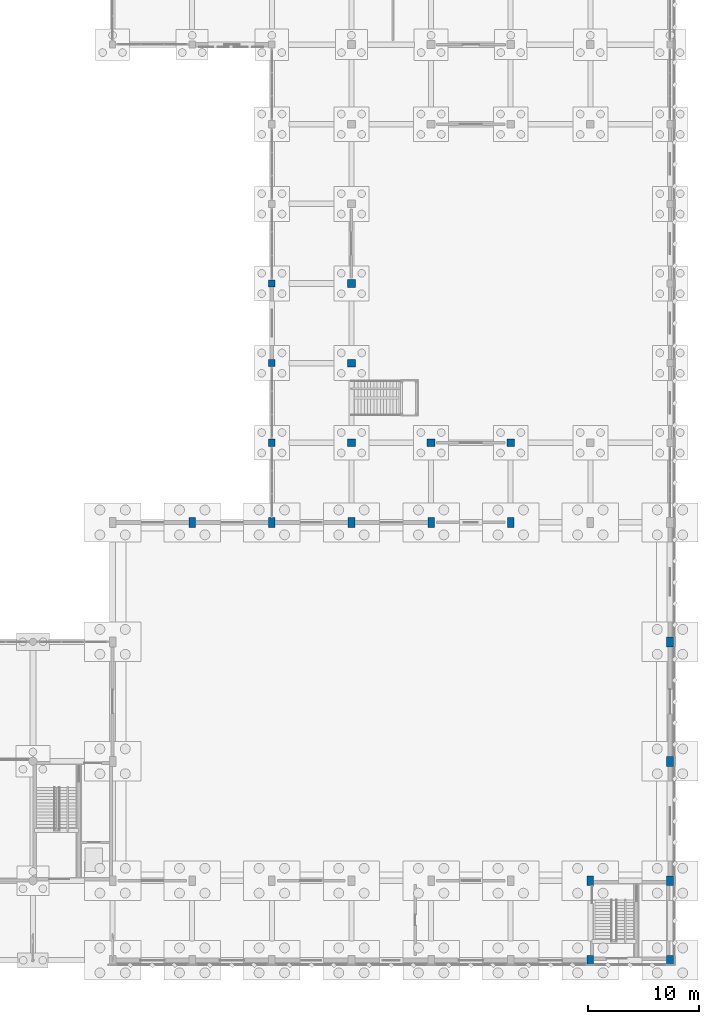
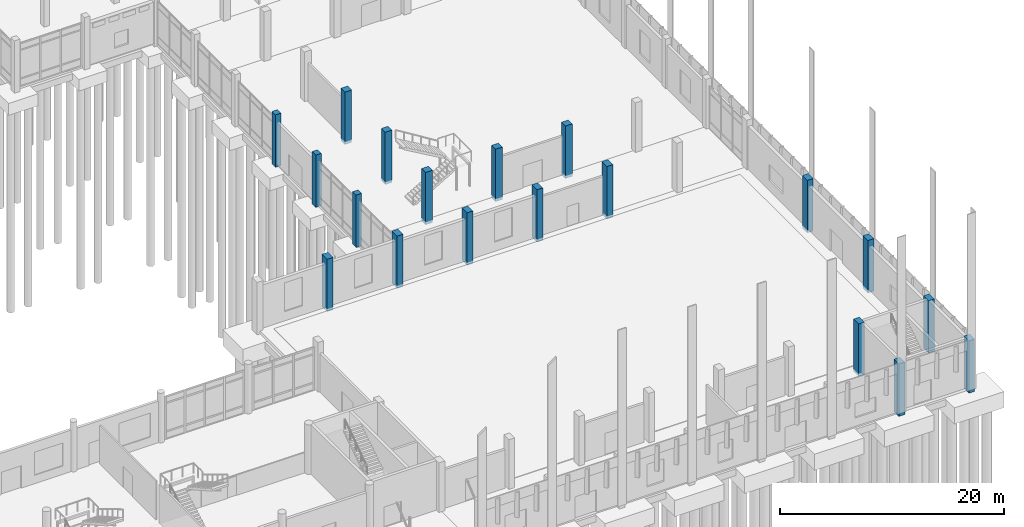
# One storey, part 23 of 109: 19 columns.
"""IFC4 building model written with IfcOpenShell, lengths in metres."""

import ifcopenshell
import ifcopenshell.guid

model = None  # the IFC model being written
_history = None  # IfcOwnerHistory: only IFC2X3 demands one
_inside = {}  # id of a spatial element -> (the spatial element, [elements in it])
_under = {}  # id of a project, library or spatial element -> (it, [spatial elements below it])
_declared = {}  # id of a project -> (the project, [libraries it declares])
_typed = {}  # id of a type object -> (the type object, [elements of that type])
_made_of = {}  # id of a material, layer set ... -> (it, [elements and type objects made of it])


def new_model(schema):
    """Start an empty IFC model of exactly this schema.

    Asked for "IFC4X3", IfcOpenShell would pick the latest addendum, in which some entities
    have other attributes; the version numbers below select the first issue.
    IFC2X3 requires an IfcOwnerHistory on every rooted entity: one is made here for all.
    """
    global model, _history
    if schema == "IFC4X3":
        model = ifcopenshell.file(schema_version=(4, 3, 0, 0))
    else:
        model = ifcopenshell.file(schema=schema)
    _inside.clear()
    _under.clear()
    _declared.clear()
    _typed.clear()
    _made_of.clear()
    _history = None
    if model.schema == "IFC2X3":
        org = make("IfcOrganization", Name="unknown")
        user = make(
            "IfcPersonAndOrganization",
            ThePerson=make("IfcPerson", FamilyName="unknown"),
            TheOrganization=org,
        )
        app = make(
            "IfcApplication",
            ApplicationDeveloper=org,
            Version="unknown",
            ApplicationFullName="unknown",
            ApplicationIdentifier="unknown",
        )
        _history = make(
            "IfcOwnerHistory",
            OwningUser=user,
            OwningApplication=app,
            ChangeAction="ADDED",
            CreationDate=0,
        )
    return model


def make(cls, **values):
    """One entity of the class cls with the attributes given. An attribute that is None is left unset."""
    return model.create_entity(
        cls, **{name: value for name, value in values.items() if value is not None}
    )


def rooted(cls, **values):
    """An entity with a GlobalId (a new one), such as an element, a storey or a relation."""
    return make(cls, GlobalId=ifcopenshell.guid.new(), OwnerHistory=_history, **values)


def si_unit(unit_type, name, prefix=None):
    """IfcSIUnit, for example si_unit("LENGTHUNIT", "METRE", prefix="MILLI")."""
    return make("IfcSIUnit", UnitType=unit_type, Prefix=prefix, Name=name)


def assignment(units):
    """IfcUnitAssignment: the units of a project."""
    return None if units is None else make("IfcUnitAssignment", Units=units)


def point(xyz):
    """IfcCartesianPoint."""
    return None if xyz is None else make("IfcCartesianPoint", Coordinates=xyz)


def direction(xyz):
    """IfcDirection."""
    return None if xyz is None else make("IfcDirection", DirectionRatios=xyz)


def frame(location, z_axis=None, x_axis=None):
    """IfcAxis2Placement3D, a coordinate frame: its origin and axes. An axis left out is left unset."""
    return make(
        "IfcAxis2Placement3D",
        Location=point(location),
        Axis=direction(z_axis),
        RefDirection=direction(x_axis),
    )


def frame_2d(location, x_axis=None):
    """IfcAxis2Placement2D, a coordinate frame in the plane: its origin and x axis."""
    return make(
        "IfcAxis2Placement2D", Location=point(location), RefDirection=direction(x_axis)
    )


def origin():
    """The frame at (0, 0, 0) with its axes left unset."""
    return frame((0.0, 0.0, 0.0))


def origin_2d():
    """The frame at (0, 0) in the plane with its x axis left unset."""
    return frame_2d((0.0, 0.0))


def place(relative_to, where):
    """IfcLocalPlacement: puts the frame where relative to a parent placement (None: the world)."""
    return make(
        "IfcLocalPlacement", PlacementRelTo=relative_to, RelativePlacement=where
    )


def context(
    kind, dimensions, precision=None, world=None, true_north=None, identifier=None
):
    """IfcGeometricRepresentationContext, for example the 3D "Model" context."""
    return make(
        "IfcGeometricRepresentationContext",
        ContextIdentifier=identifier,
        ContextType=kind,
        CoordinateSpaceDimension=dimensions,
        Precision=precision,
        WorldCoordinateSystem=world,
        TrueNorth=true_north,
    )


def subcontext(parent, identifier, kind, view, scale=None):
    """IfcGeometricRepresentationSubContext, for example "Body" below "Model"."""
    return make(
        "IfcGeometricRepresentationSubContext",
        ContextIdentifier=identifier,
        ContextType=kind,
        ParentContext=parent,
        TargetScale=scale,
        TargetView=view,
    )


def project(units=None, contexts=None):
    """IfcProject with its units and contexts."""
    return rooted(
        "IfcProject",
        Name="project",
        RepresentationContexts=contexts,
        UnitsInContext=assignment(units),
    )


def spatial(cls, under=None, at=None, **own):
    """A site, building, storey or space (cls), placed at a placement, below another one or the project."""
    s = rooted(cls, ObjectPlacement=at, **own)
    if under is not None:
        _under.setdefault(under.id(), (under, []))[1].append(s)
    return s


def profile(cls, at=None, kind="AREA", **sizes):
    """A parametric profile (cls). Its sizes go by their IFC names, for example OverallWidth=200.0."""
    return make(cls, ProfileType=kind, Position=at, **sizes)


def rectangle(**sizes):
    """IfcRectangleProfileDef."""
    return profile("IfcRectangleProfileDef", **sizes)


def extrude(swept, where, along, depth):
    """IfcExtrudedAreaSolid: the profile swept, set in the frame where, extruded along a direction by depth."""
    return make(
        "IfcExtrudedAreaSolid",
        SweptArea=swept,
        Position=where,
        ExtrudedDirection=direction(along),
        Depth=depth,
    )


def shape(context_of_items, identifier, shape_type, items):
    """IfcShapeRepresentation: the items that make up one representation, for example the "Body"."""
    return make(
        "IfcShapeRepresentation",
        ContextOfItems=context_of_items,
        RepresentationIdentifier=identifier,
        RepresentationType=shape_type,
        Items=items,
    )


def material(Name=None, Category=None):
    """IfcMaterial."""
    return make("IfcMaterial", Name=Name, Category=Category)


def material_profile(
    of_material, cross_section, Name=None, Category=None, Priority=None
):
    """IfcMaterialProfile: a cross section and its material."""
    return make(
        "IfcMaterialProfile",
        Name=Name,
        Material=of_material,
        Profile=cross_section,
        Priority=Priority,
        Category=Category,
    )


def profile_set(profiles, Name=None, composite=None):
    """IfcMaterialProfileSet."""
    return make(
        "IfcMaterialProfileSet",
        Name=Name,
        MaterialProfiles=profiles,
        CompositeProfile=composite,
    )


def made_of(thing, what):
    """Note that an element or type object is made of a material, layer set ...; save() writes the relation."""
    if what is not None:
        _made_of.setdefault(what.id(), (what, []))[1].append(thing)
    return thing


def type_object(cls, material=None, **own):
    """A type object (cls), such as IfcWallType, which elements share."""
    return made_of(rooted(cls, **own), material)


def element(
    cls,
    number,
    at=None,
    inside=None,
    cuts=None,
    type_object=None,
    material=None,
    context=None,
    identifier="Body",
    shape_type=None,
    held_by="IfcProductDefinitionShape",
    body=None,
    shapes=None,
    **own,
):
    """One element of the class cls, such as IfcWall. Its Tag is "e" and its number.

    at: its placement. inside: the storey or other place that contains it. cuts: it is an
    opening in that element (IfcRelVoidsElement). A single representation is given by context,
    identifier, shape_type and body (its items); several are given by shapes. held_by: the class
    of the entity that holds the representations. save() writes the other relations.
    """
    e = rooted(cls, Tag="e%d" % number, ObjectPlacement=at, **own)
    if body is not None:
        shapes = [shape(context, identifier, shape_type, body)]
    if shapes is not None:
        e.Representation = make(held_by, Representations=shapes)
    if inside is not None:
        _inside.setdefault(inside.id(), (inside, []))[1].append(e)
    if cuts is not None:
        rooted(
            "IfcRelVoidsElement", RelatingBuildingElement=cuts, RelatedOpeningElement=e
        )
    if type_object is not None:
        _typed.setdefault(type_object.id(), (type_object, []))[1].append(e)
    return made_of(e, material)


def aggregate(whole, parts):
    """IfcRelAggregates: a whole, such as a stair, and the parts it consists of."""
    return rooted("IfcRelAggregates", RelatingObject=whole, RelatedObjects=parts)


def save(model, path):
    """Write the relations noted so far, then the file.

    IfcRelAggregates (storeys below a building ...), IfcRelContainedInSpatialStructure (elements
    in a storey), IfcRelDefinesByType, IfcRelAssociatesMaterial and IfcRelDeclares: one each for
    every whole, place, type object, material and project.
    """
    for whole, parts in _under.values():
        aggregate(whole, parts)
    for where, things in _inside.values():
        rooted(
            "IfcRelContainedInSpatialStructure",
            RelatedElements=things,
            RelatingStructure=where,
        )
    for kind, things in _typed.values():
        rooted("IfcRelDefinesByType", RelatedObjects=things, RelatingType=kind)
    for what, things in _made_of.values():
        rooted("IfcRelAssociatesMaterial", RelatedObjects=things, RelatingMaterial=what)
    for by, libraries in _declared.values():
        rooted("IfcRelDeclares", RelatingContext=by, RelatedDefinitions=libraries)
    model.write(path)


model = new_model("IFC4")

# Units and contexts
model_context = context("Model", 3, precision=1e-05, world=origin(), true_north=direction((0.0, 1.0)))
body_context = subcontext(model_context, "Body", "Model", "MODEL_VIEW")
ifc_project = project(units=[si_unit("LENGTHUNIT", "METRE"), si_unit("AREAUNIT", "SQUARE_METRE"), si_unit("VOLUMEUNIT", "CUBIC_METRE"), si_unit("PLANEANGLEUNIT", "RADIAN"), si_unit("MASSUNIT", "GRAM", prefix="KILO")], contexts=[model_context])

# Site, building, storey
site_placement = place(None, origin())
site = spatial("IfcSite", under=ifc_project, at=site_placement, CompositionType="ELEMENT")
building_placement = place(site_placement, origin())
building = spatial("IfcBuilding", under=site, at=building_placement, Name="Lusvemor Sports Hall", CompositionType="ELEMENT")
storey_placement = place(building_placement, origin())
storey = spatial("IfcBuildingStorey", under=building, at=storey_placement, Name="L00", CompositionType="ELEMENT", Elevation=0.0)

# Columns
ifc_material_1 = material(Name="Concrete C40/50", Category="concrete")
ifc_material_profile_1 = material_profile(ifc_material_1, rectangle(XDim=0.699951171875, YDim=0.699951171875, at=origin_2d()), Name="RC700x700")
ifc_profile_set_1 = profile_set([ifc_material_profile_1], Name="Concrete C40/50")
column_type_1 = type_object("IfcColumnType", Name="COL_HALL_I", PredefinedType="COLUMN", material=ifc_profile_set_1)
for number, where, z_axis, x_axis, name in (
    (1, (140.39990234375, 46.800048828125, -0.300048828125), (0.0, 0.0, 1.0), (1.0, 0.0, 0.0), "Column 16/F (L00)"),
    (2, (140.39990234375, 54.0, -0.300048828125), (0.0, 0.0, 1.0), (1.0, 0.0, 0.0), "Column 16/G (L00)"),
    (3, (140.39990234375, 61.199951171875, -0.300048828125), (0.0, 0.0, 1.0), (1.0, 0.0, 0.0), "Column 16/H (L00)"),
    (4, (147.60009765625, 46.800048828125, -0.300048828125), (0.0, 0.0, 1.0), (1.0, 0.0, 0.0), "Column 17/F (L00)"),
    (5, (154.800048828125, 46.800048828125, -0.300048828125), (0.0, 0.0, 1.0), (1.0, 0.0, 0.0), "Column 18/F (L00)"),
):
    element("IfcColumn", number, at=place(storey_placement, frame(where, z_axis=z_axis, x_axis=x_axis)), inside=storey, type_object=column_type_1, Name=name, PredefinedType="COLUMN", context=body_context, shape_type="SweptSolid", body=[
        extrude(rectangle(XDim=0.699951171875, YDim=0.699951171875, at=origin_2d()), origin(), (0.0, 0.0, 1.0), 5.699951171875),
    ])
ifc_material_2 = material(Name="Concrete C40/50", Category="concrete")
ifc_material_profile_2 = material_profile(ifc_material_2, rectangle(XDim=0.60009765625, YDim=0.89990234375, at=origin_2d()), Name="RC600x900")
ifc_profile_set_2 = profile_set([ifc_material_profile_2], Name="Concrete C40/50")
column_type_2 = type_object("IfcColumnType", Name="COL_STACK_E", PredefinedType="COLUMN", material=ifc_profile_set_2)
for number, where, z_axis, x_axis, name in (
    (6, (126.0, 39.60009765625, -0.300048828125), (0.0, 0.0, 1.0), (1.0, 0.0, 0.0), "Column 14/E (L00)"),
    (7, (133.199951171875, 39.60009765625, -0.300048828125), (0.0, 0.0, 1.0), (1.0, 0.0, 0.0), "Column 15/E (L00)"),
    (8, (140.39990234375, 39.60009765625, -0.300048828125), (0.0, 0.0, 1.0), (1.0, 0.0, 0.0), "Column 16/E (L00)"),
    (9, (147.60009765625, 39.60009765625, -0.300048828125), (0.0, 0.0, 1.0), (1.0, 0.0, 0.0), "Column 17/E (L00)"),
    (10, (154.800048828125, 39.60009765625, -0.300048828125), (0.0, 0.0, 1.0), (1.0, 0.0, 0.0), "Column 18/E (L00)"),
    (11, (162.0, 0.0, -0.300048828125), (0.0, 0.0, 1.0), (1.0, 0.0, 0.0), "Column 19/A (L00)"),
    (12, (162.0, 7.199951171875, -0.300048828125), (0.0, 0.0, 1.0), (1.0, 0.0, 0.0), "Column 19/B (L00)"),
    (13, (169.199951171875, 0.0, -0.300048828125), (0.0, 0.0, 1.0), (1.0, 0.0, 0.0), "Column 20/A (L00)"),
    (14, (169.199951171875, 7.199951171875, -0.300048828125), (0.0, 0.0, 1.0), (1.0, 0.0, 0.0), "Column 20/B (L00)"),
    (15, (169.199951171875, 18.0, -0.300048828125), (0.0, 0.0, 1.0), (1.0, 0.0, 0.0), "Column 20/C (L00)"),
    (16, (169.199951171875, 28.800048828125, -0.300048828125), (0.0, 0.0, 1.0), (1.0, 0.0, 0.0), "Column 20/D (L00)"),
):
    element("IfcColumn", number, at=place(storey_placement, frame(where, z_axis=z_axis, x_axis=x_axis)), inside=storey, type_object=column_type_2, Name=name, PredefinedType="COLUMN", context=body_context, shape_type="SweptSolid", body=[
        extrude(rectangle(XDim=0.60009765625, YDim=0.89990234375, at=origin_2d()), origin(), (0.0, 0.0, 1.0), 5.699951171875),
    ])
ifc_material_3 = material(Name="Concrete C40/50", Category="concrete")
ifc_material_profile_3 = material_profile(ifc_material_3, rectangle(XDim=0.56005859375, YDim=0.639892578125, at=origin_2d()), Name="RC560x640")
ifc_profile_set_3 = profile_set([ifc_material_profile_3], Name="Concrete C40/50")
column_type_3 = type_object("IfcColumnType", Name="COL_WING_E", PredefinedType="COLUMN", material=ifc_profile_set_3)
for number, where, z_axis, x_axis, name in (
    (17, (133.199951171875, 46.800048828125, -0.300048828125), (0.0, 0.0, 1.0), (1.0, 0.0, 0.0), "Column 15/F (L00)"),
    (18, (133.199951171875, 54.0, -0.300048828125), (0.0, 0.0, 1.0), (1.0, 0.0, 0.0), "Column 15/G (L00)"),
    (19, (133.199951171875, 61.199951171875, -0.300048828125), (0.0, 0.0, 1.0), (1.0, 0.0, 0.0), "Column 15/H (L00)"),
):
    element("IfcColumn", number, at=place(storey_placement, frame(where, z_axis=z_axis, x_axis=x_axis)), inside=storey, type_object=column_type_3, Name=name, PredefinedType="COLUMN", context=body_context, shape_type="SweptSolid", body=[
        extrude(rectangle(XDim=0.56005859375, YDim=0.639892578125, at=origin_2d()), origin(), (0.0, 0.0, 1.0), 5.699951171875),
    ])

save(model, "model.ifc")
